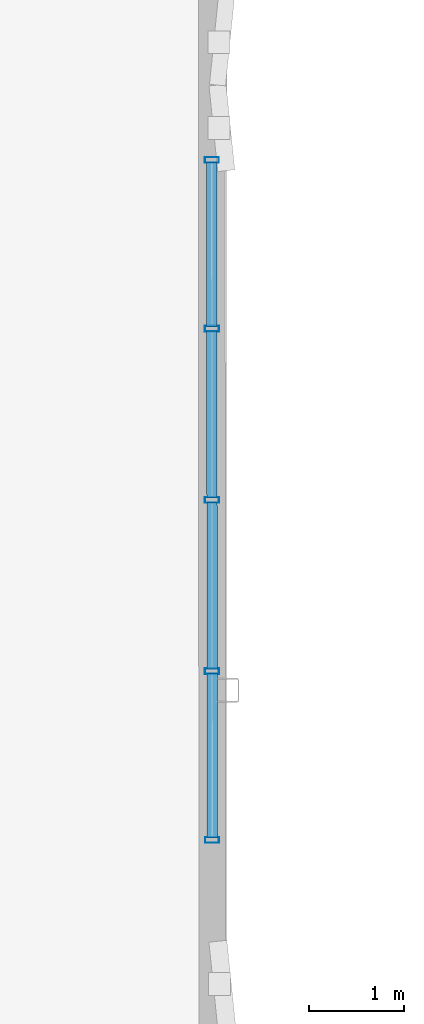
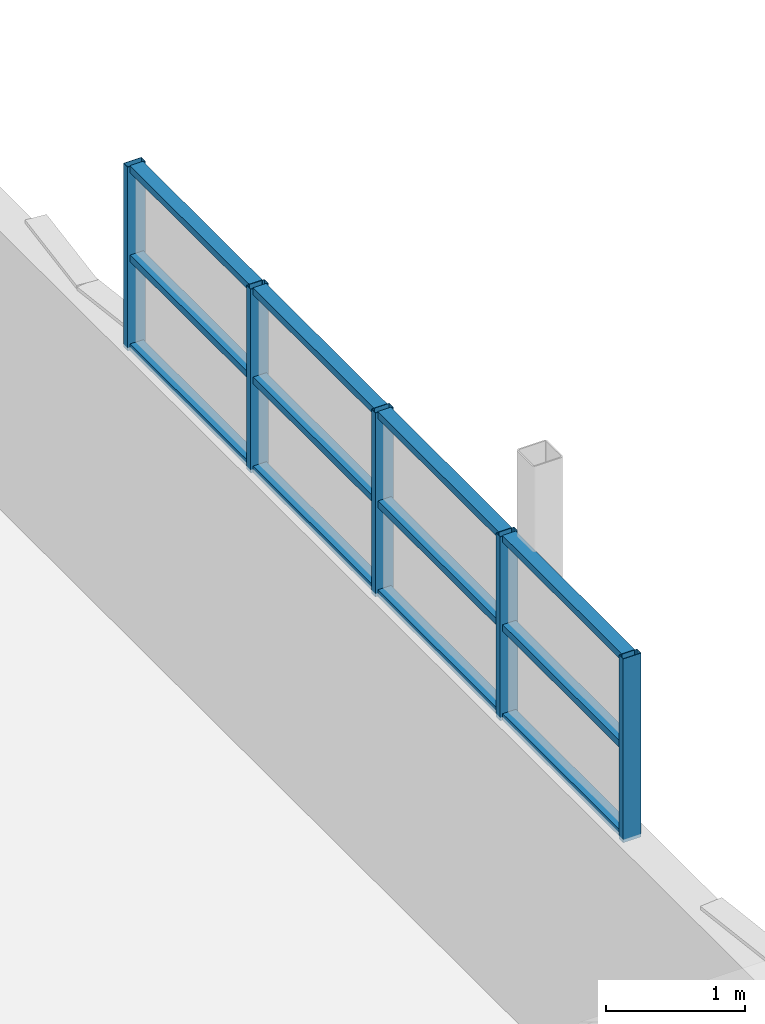
# One storey, part 19 of 36: 17 members, 1 element without a shape of its own.
"""IFC4 building model written with IfcOpenShell, lengths in metres."""

from ifc_helpers import new_model, si_unit, direction, frame, origin, origin_2d, place, context, subcontext, project, spatial, hollow_rectangle, extrude, material, layer, layer_set, material_profile, profile_set, type_object, element, aggregate, save


model = new_model("IFC4")

# Units and contexts
model_context = context("Model", 3, precision=1e-05, world=origin(), true_north=direction((0.0, 1.0)))
body_context = subcontext(model_context, "Body", "Model", "MODEL_VIEW")
ifc_project = project(units=[si_unit("LENGTHUNIT", "METRE"), si_unit("AREAUNIT", "SQUARE_METRE"), si_unit("VOLUMEUNIT", "CUBIC_METRE"), si_unit("PLANEANGLEUNIT", "RADIAN"), si_unit("MASSUNIT", "GRAM", prefix="KILO"), si_unit("THERMODYNAMICTEMPERATUREUNIT", "KELVIN"), si_unit("POWERUNIT", "WATT")], contexts=[model_context])

# Site, building, storey
site_placement = place(None, origin())
site = spatial("IfcSite", under=ifc_project, at=site_placement, CompositionType="ELEMENT")
building_placement = place(site_placement, origin())
building = spatial("IfcBuilding", under=site, at=building_placement, Name="Zelmaris Science Centre", CompositionType="ELEMENT")
storey_placement = place(building_placement, frame((0.0, 0.0, 25.199951171875)))
storey = spatial("IfcBuildingStorey", under=building, at=storey_placement, Name="L05", CompositionType="ELEMENT", Elevation=25.199951171875)

# Curtain wall, members
ifc_material = material(Name="Anodised architectural aluminium 6063-T6", Category="aluminium")
ifc_layer = layer(ifc_material, 0.219970703125, Name="Anodised architectural aluminium 6063-T6")
ifc_layer_set = layer_set([ifc_layer], Name="Anodised architectural aluminium 6063-T6")
curtain_wall_type = type_object("IfcCurtainWallType", Name="Curtain Wall CW-04", PredefinedType="USERDEFINED", material=ifc_layer_set)
curtain_wall_placement = place(storey_placement, origin())
curtain_wall = element("IfcCurtainWall", 1, at=curtain_wall_placement, inside=storey, type_object=curtain_wall_type, Name="L05 Clerestory curtain wall 368", ObjectType="GLAZED CURTAIN WALL", PredefinedType="USERDEFINED")
ifc_material_profile_1 = material_profile(ifc_material, hollow_rectangle(XDim=0.06005859375, YDim=0.14990234375, WallThickness=0.00341796875, at=origin_2d()), Name="ALU-MUL-60X150")
ifc_profile_set_1 = profile_set([ifc_material_profile_1], Name="Anodised architectural aluminium 6063-T6")
member_type_1 = type_object("IfcMemberType", Name="ALU-MUL-60X150", PredefinedType="MULLION", material=ifc_profile_set_1)
member_1_placement = place(storey_placement, frame((86.841064453125, 63.573974609375, 2.420166015625), z_axis=(0.0, 0.0, 1.0), x_axis=(0.000457276248, -0.999999895449, 0.0)))
member_1 = element("IfcMember", 2, at=member_1_placement, type_object=member_type_1, Name="CW-04 mullion 1", PredefinedType="MULLION", context=body_context, shape_type="SweptSolid", body=[
    extrude(hollow_rectangle(XDim=0.06005859375, YDim=0.14990234375, WallThickness=0.00341796875, at=origin_2d()), origin(), (0.0, 0.0, 1.0), 1.619873046875),
])
member_2_placement = place(storey_placement, frame((86.841796875, 61.7998046875, 2.420166015625), z_axis=(0.0, 0.0, 1.0), x_axis=(0.000457276248, -0.999999895449, 0.0)))
member_2 = element("IfcMember", 3, at=member_2_placement, type_object=member_type_1, Name="CW-04 mullion 2", PredefinedType="MULLION", context=body_context, shape_type="SweptSolid", body=[
    extrude(hollow_rectangle(XDim=0.06005859375, YDim=0.14990234375, WallThickness=0.00341796875, at=origin_2d()), origin(), (0.0, 0.0, 1.0), 1.619873046875),
])
member_3_placement = place(storey_placement, frame((86.842529296875, 60.0, 2.420166015625), z_axis=(0.0, 0.0, 1.0), x_axis=(0.000457276248, -0.999999895449, 0.0)))
member_3 = element("IfcMember", 4, at=member_3_placement, type_object=member_type_1, Name="CW-04 mullion 3", PredefinedType="MULLION", context=body_context, shape_type="SweptSolid", body=[
    extrude(hollow_rectangle(XDim=0.06005859375, YDim=0.14990234375, WallThickness=0.00341796875, at=origin_2d()), origin(), (0.0, 0.0, 1.0), 1.619873046875),
])
member_4_placement = place(storey_placement, frame((86.843505859375, 58.199951171875, 2.420166015625), z_axis=(0.0, 0.0, 1.0), x_axis=(0.000457276248, -0.999999895449, 0.0)))
member_4 = element("IfcMember", 5, at=member_4_placement, type_object=member_type_1, Name="CW-04 mullion 4", PredefinedType="MULLION", context=body_context, shape_type="SweptSolid", body=[
    extrude(hollow_rectangle(XDim=0.06005859375, YDim=0.14990234375, WallThickness=0.00341796875, at=origin_2d()), origin(), (0.0, 0.0, 1.0), 1.619873046875),
])
member_5_placement = place(storey_placement, frame((86.84423828125, 56.42578125, 2.420166015625), z_axis=(0.0, 0.0, 1.0), x_axis=(0.000457276248, -0.999999895449, 0.0)))
member_5 = element("IfcMember", 6, at=member_5_placement, type_object=member_type_1, Name="CW-04 mullion 5", PredefinedType="MULLION", context=body_context, shape_type="SweptSolid", body=[
    extrude(hollow_rectangle(XDim=0.06005859375, YDim=0.14990234375, WallThickness=0.00341796875, at=origin_2d()), origin(), (0.0, 0.0, 1.0), 1.619873046875),
])
ifc_material_profile_2 = material_profile(ifc_material, hollow_rectangle(XDim=0.06005859375, YDim=0.110107421875, WallThickness=0.0029296875, at=origin_2d()), Name="ALU-TRN-60X110")
ifc_profile_set_2 = profile_set([ifc_material_profile_2], Name="Anodised architectural aluminium 6063-T6")
member_type_2 = type_object("IfcMemberType", Name="ALU-TRN-60X110", PredefinedType="USERDEFINED", material=ifc_profile_set_2)
member_6_placement = place(storey_placement, frame((86.841064453125, 63.5478515625, 2.446044921875), z_axis=(0.000425350876, -0.999999909538, 0.0), x_axis=(0.0, 0.0, 1.0)))
member_6 = element("IfcMember", 7, at=member_6_placement, type_object=member_type_2, Name="CW-04 transom 1.1", ObjectType="TRANSOM", PredefinedType="USERDEFINED", context=body_context, shape_type="SweptSolid", body=[
    extrude(hollow_rectangle(XDim=0.06005859375, YDim=0.110107421875, WallThickness=0.0029296875, at=origin_2d()), origin(), (0.0, 0.0, 1.0), 1.721923828125),
])
member_7_placement = place(storey_placement, frame((86.841064453125, 63.5478515625, 3.22998046875), z_axis=(0.000425350876, -0.999999909538, 0.0), x_axis=(0.0, 0.0, 1.0)))
member_7 = element("IfcMember", 8, at=member_7_placement, type_object=member_type_2, Name="CW-04 transom 1.2", ObjectType="TRANSOM", PredefinedType="USERDEFINED", context=body_context, shape_type="SweptSolid", body=[
    extrude(hollow_rectangle(XDim=0.06005859375, YDim=0.110107421875, WallThickness=0.0029296875, at=origin_2d()), origin(), (0.0, 0.0, 1.0), 1.721923828125),
])
member_8_placement = place(storey_placement, frame((86.841064453125, 63.5478515625, 4.01416015625), z_axis=(0.000425350876, -0.999999909538, 0.0), x_axis=(0.0, 0.0, 1.0)))
member_8 = element("IfcMember", 9, at=member_8_placement, type_object=member_type_2, Name="CW-04 transom 1.3", ObjectType="TRANSOM", PredefinedType="USERDEFINED", context=body_context, shape_type="SweptSolid", body=[
    extrude(hollow_rectangle(XDim=0.06005859375, YDim=0.110107421875, WallThickness=0.0029296875, at=origin_2d()), origin(), (0.0, 0.0, 1.0), 1.721923828125),
])
member_9_placement = place(storey_placement, frame((86.841796875, 61.77392578125, 2.446044921875), z_axis=(0.000418994377, -0.999999912222, 0.0), x_axis=(0.0, 0.0, 1.0)))
member_9 = element("IfcMember", 10, at=member_9_placement, type_object=member_type_2, Name="CW-04 transom 2.1", ObjectType="TRANSOM", PredefinedType="USERDEFINED", context=body_context, shape_type="SweptSolid", body=[
    extrude(hollow_rectangle(XDim=0.06005859375, YDim=0.110107421875, WallThickness=0.0029296875, at=origin_2d()), origin(), (0.0, 0.0, 1.0), 1.748046875),
])
member_10_placement = place(storey_placement, frame((86.841796875, 61.77392578125, 3.22998046875), z_axis=(0.000418994377, -0.999999912222, 0.0), x_axis=(0.0, 0.0, 1.0)))
member_10 = element("IfcMember", 11, at=member_10_placement, type_object=member_type_2, Name="CW-04 transom 2.2", ObjectType="TRANSOM", PredefinedType="USERDEFINED", context=body_context, shape_type="SweptSolid", body=[
    extrude(hollow_rectangle(XDim=0.06005859375, YDim=0.110107421875, WallThickness=0.0029296875, at=origin_2d()), origin(), (0.0, 0.0, 1.0), 1.748046875),
])
member_11_placement = place(storey_placement, frame((86.841796875, 61.77392578125, 4.01416015625), z_axis=(0.000418994377, -0.999999912222, 0.0), x_axis=(0.0, 0.0, 1.0)))
member_11 = element("IfcMember", 12, at=member_11_placement, type_object=member_type_2, Name="CW-04 transom 2.3", ObjectType="TRANSOM", PredefinedType="USERDEFINED", context=body_context, shape_type="SweptSolid", body=[
    extrude(hollow_rectangle(XDim=0.06005859375, YDim=0.110107421875, WallThickness=0.0029296875, at=origin_2d()), origin(), (0.0, 0.0, 1.0), 1.748046875),
])
member_12_placement = place(storey_placement, frame((86.8427734375, 59.973876953125, 2.446044921875), z_axis=(0.000418994377, -0.999999912222, 0.0), x_axis=(0.0, 0.0, 1.0)))
member_12 = element("IfcMember", 13, at=member_12_placement, type_object=member_type_2, Name="CW-04 transom 3.1", ObjectType="TRANSOM", PredefinedType="USERDEFINED", context=body_context, shape_type="SweptSolid", body=[
    extrude(hollow_rectangle(XDim=0.06005859375, YDim=0.110107421875, WallThickness=0.0029296875, at=origin_2d()), origin(), (0.0, 0.0, 1.0), 1.748046875),
])
member_13_placement = place(storey_placement, frame((86.8427734375, 59.973876953125, 3.22998046875), z_axis=(0.000418994377, -0.999999912222, 0.0), x_axis=(0.0, 0.0, 1.0)))
member_13 = element("IfcMember", 14, at=member_13_placement, type_object=member_type_2, Name="CW-04 transom 3.2", ObjectType="TRANSOM", PredefinedType="USERDEFINED", context=body_context, shape_type="SweptSolid", body=[
    extrude(hollow_rectangle(XDim=0.06005859375, YDim=0.110107421875, WallThickness=0.0029296875, at=origin_2d()), origin(), (0.0, 0.0, 1.0), 1.748046875),
])
member_14_placement = place(storey_placement, frame((86.8427734375, 59.973876953125, 4.01416015625), z_axis=(0.000418994377, -0.999999912222, 0.0), x_axis=(0.0, 0.0, 1.0)))
member_14 = element("IfcMember", 15, at=member_14_placement, type_object=member_type_2, Name="CW-04 transom 3.3", ObjectType="TRANSOM", PredefinedType="USERDEFINED", context=body_context, shape_type="SweptSolid", body=[
    extrude(hollow_rectangle(XDim=0.06005859375, YDim=0.110107421875, WallThickness=0.0029296875, at=origin_2d()), origin(), (0.0, 0.0, 1.0), 1.748046875),
])
member_15_placement = place(storey_placement, frame((86.843505859375, 58.173828125, 2.446044921875), z_axis=(0.000425350876, -0.999999909538, 0.0), x_axis=(0.0, 0.0, 1.0)))
member_15 = element("IfcMember", 16, at=member_15_placement, type_object=member_type_2, Name="CW-04 transom 4.1", ObjectType="TRANSOM", PredefinedType="USERDEFINED", context=body_context, shape_type="SweptSolid", body=[
    extrude(hollow_rectangle(XDim=0.06005859375, YDim=0.110107421875, WallThickness=0.0029296875, at=origin_2d()), origin(), (0.0, 0.0, 1.0), 1.721923828125),
])
member_16_placement = place(storey_placement, frame((86.843505859375, 58.173828125, 3.22998046875), z_axis=(0.000425350876, -0.999999909538, 0.0), x_axis=(0.0, 0.0, 1.0)))
member_16 = element("IfcMember", 17, at=member_16_placement, type_object=member_type_2, Name="CW-04 transom 4.2", ObjectType="TRANSOM", PredefinedType="USERDEFINED", context=body_context, shape_type="SweptSolid", body=[
    extrude(hollow_rectangle(XDim=0.06005859375, YDim=0.110107421875, WallThickness=0.0029296875, at=origin_2d()), origin(), (0.0, 0.0, 1.0), 1.721923828125),
])
member_17_placement = place(storey_placement, frame((86.843505859375, 58.173828125, 4.01416015625), z_axis=(0.000425350876, -0.999999909538, 0.0), x_axis=(0.0, 0.0, 1.0)))
member_17 = element("IfcMember", 18, at=member_17_placement, type_object=member_type_2, Name="CW-04 transom 4.3", ObjectType="TRANSOM", PredefinedType="USERDEFINED", context=body_context, shape_type="SweptSolid", body=[
    extrude(hollow_rectangle(XDim=0.06005859375, YDim=0.110107421875, WallThickness=0.0029296875, at=origin_2d()), origin(), (0.0, 0.0, 1.0), 1.721923828125),
])
aggregate(curtain_wall, [member_1, member_2, member_3, member_4, member_5, member_6, member_7, member_8, member_9, member_10, member_11, member_12, member_13, member_14, member_15, member_16, member_17])

save(model, "model.ifc")
